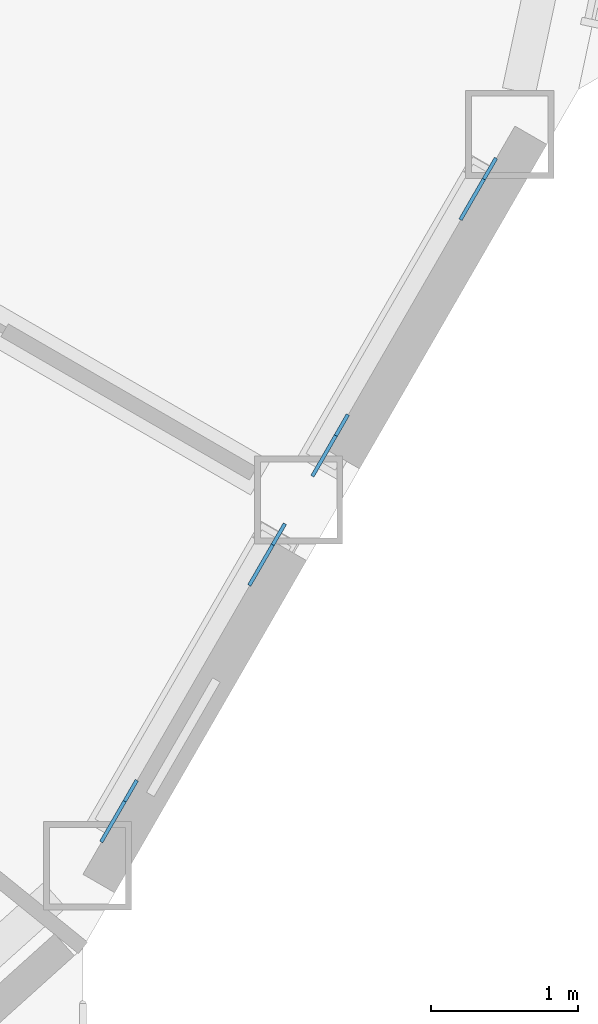
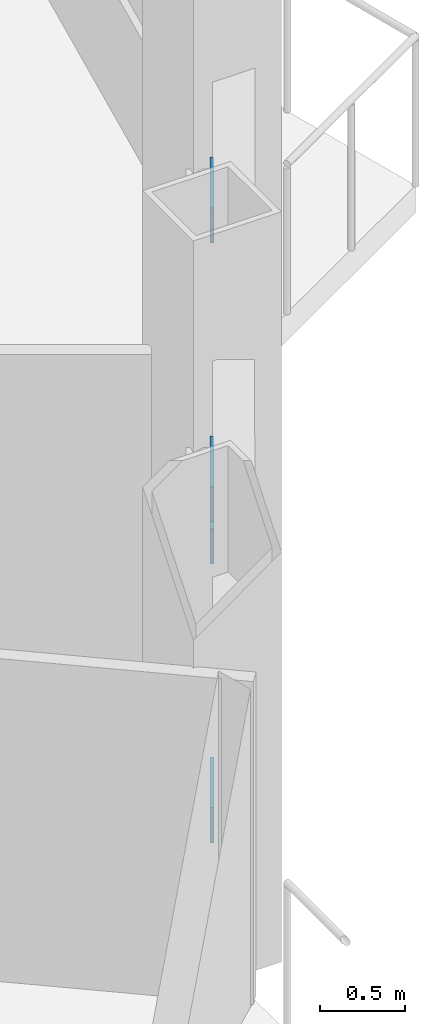
# One storey, part 21 of 27: 4 discrete accessories.
"""IFC4 building model written with IfcOpenShell, lengths in metres."""

from ifc_helpers import new_model, si_unit, direction, frame, origin, origin_2d, place, context, subcontext, project, spatial, rectangle, extrude, material, material_profile, profile_set, type_object, element, save


model = new_model("IFC4")

# Units and contexts
model_context = context("Model", 3, precision=1e-05, world=origin(), true_north=direction((0.0, 1.0)))
body_context = subcontext(model_context, "Body", "Model", "MODEL_VIEW")
ifc_project = project(units=[si_unit("LENGTHUNIT", "METRE"), si_unit("AREAUNIT", "SQUARE_METRE"), si_unit("VOLUMEUNIT", "CUBIC_METRE"), si_unit("PLANEANGLEUNIT", "RADIAN"), si_unit("MASSUNIT", "GRAM", prefix="KILO")], contexts=[model_context])

# Site, building, storey
site_placement = place(None, origin())
site = spatial("IfcSite", under=ifc_project, at=site_placement, CompositionType="ELEMENT")
building_placement = place(site_placement, origin())
building = spatial("IfcBuilding", under=site, at=building_placement, Name="Cormorant Prow Tower", CompositionType="ELEMENT")
storey_placement = place(building_placement, frame((0.0, 0.0, 318.800048828125)))
storey = spatial("IfcBuildingStorey", under=building, at=storey_placement, Name="L70", CompositionType="ELEMENT", Elevation=318.800048828125)

# Discrete accessories
ifc_material = material(Name="Structural steel ASTM A500 Gr C", Category="steel")
ifc_material_profile = material_profile(ifc_material, rectangle(XDim=0.02490234375, YDim=0.405029296875, at=origin_2d()), Name="Gusset plate 25x405")
ifc_profile_set = profile_set([ifc_material_profile], Name="Structural steel ASTM A500 Gr C")
discrete_accessory_type = type_object("IfcDiscreteAccessoryType", Name="Gusset plate 25x405", PredefinedType="BRACKET", material=ifc_profile_set)
discrete_accessory_placement = place(storey_placement, frame((26.289794921875, -17.817138671875, 0.86376953125), z_axis=(-0.456791619277, -0.790144892581, -0.408671586101), x_axis=(0.865740004385, -0.50049400077, 0.0)))
element("IfcDiscreteAccessory", 1, at=discrete_accessory_placement, inside=storey, type_object=discrete_accessory_type, Name="Gusset plate GP3 L70.ESE00.g0", PredefinedType="BRACKET", context=body_context, shape_type="SweptSolid", body=[
    extrude(rectangle(XDim=0.02490234375, YDim=0.405029296875, at=origin_2d()), origin(), (0.0, 0.0, 1.0), 0.35009765625),
])
for number, where, z_axis, x_axis, name in (
    (2, (27.137939453125, -16.34765625, 1.6240234375), (0.45649114423, 0.790134518758, 0.409027233209), (-0.865879799044, 0.500252110048, 0.0), "Gusset plate GP3 L70.ESE00.g1"),
    (3, (27.7265625, -15.328369140625, 0.86376953125), (-0.456239480558, -0.790396531303, -0.408801736402), (0.866071029786, -0.499920965119, 0.0), "Gusset plate GP3 L70.ESE01.g0"),
    (4, (28.574951171875, -13.85888671875, 1.6240234375), (0.456239480558, 0.790396531303, 0.408801736402), (-0.866071029786, 0.499920965119, 0.0), "Gusset plate GP3 L70.ESE01.g1"),
):
    element("IfcDiscreteAccessory", number, at=place(storey_placement, frame(where, z_axis=z_axis, x_axis=x_axis)), inside=storey, type_object=discrete_accessory_type, Name=name, PredefinedType="BRACKET", context=body_context, shape_type="SweptSolid", body=[
        extrude(rectangle(XDim=0.02490234375, YDim=0.405029296875, at=origin_2d()), origin(), (0.0, 0.0, 1.0), 0.349853515625),
    ])

save(model, "model.ifc")
